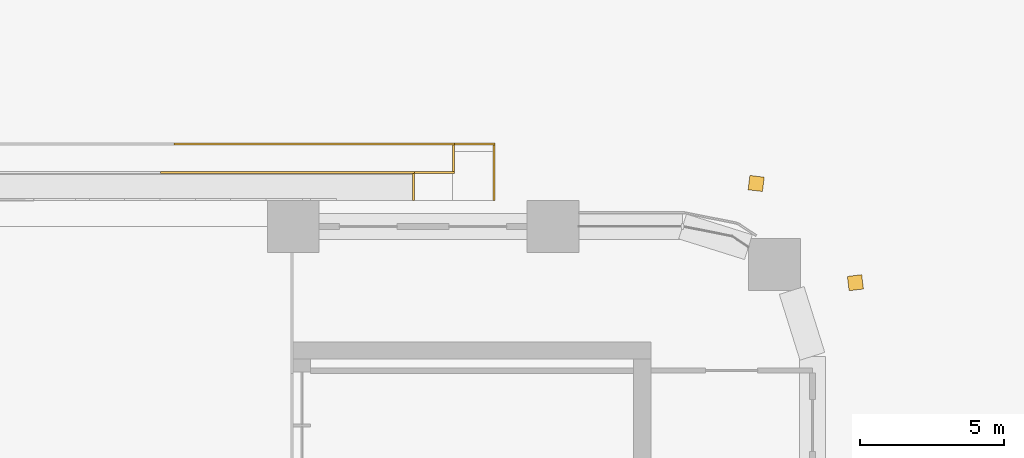
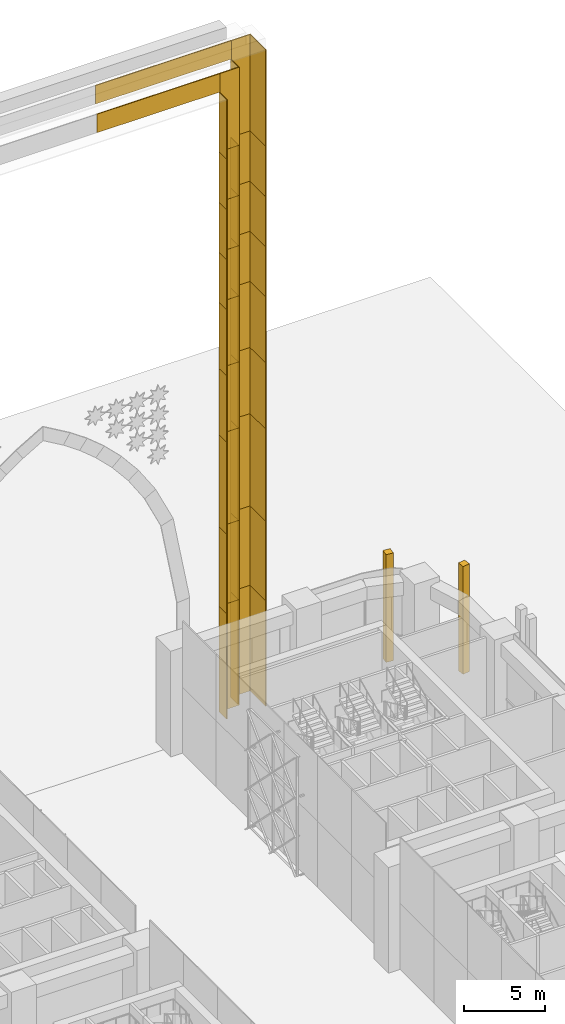
# One storey, part 63 of 64: 49 coverings.
"""IFC4 building model written with IfcOpenShell, lengths in metres."""

from ifc_helpers import new_model, si_unit, direction, frame, origin, origin_2d, place, context, subcontext, project, spatial, rectangle, extrude, material, layer, layer_set, type_object, element, save


model = new_model("IFC4")

# Units and contexts
model_context = context("Model", 3, precision=1e-05, world=origin(), true_north=direction((0.0, 1.0)))
body_context = subcontext(model_context, "Body", "Model", "MODEL_VIEW")
ifc_project = project(units=[si_unit("LENGTHUNIT", "METRE"), si_unit("AREAUNIT", "SQUARE_METRE"), si_unit("VOLUMEUNIT", "CUBIC_METRE"), si_unit("PLANEANGLEUNIT", "RADIAN"), si_unit("MASSUNIT", "GRAM", prefix="KILO")], contexts=[model_context])

# Site, building, storey
site_placement = place(None, origin())
site = spatial("IfcSite", under=ifc_project, at=site_placement, CompositionType="ELEMENT")
building_placement = place(site_placement, origin())
building = spatial("IfcBuilding", under=site, at=building_placement, Name="Tessera Arch", CompositionType="ELEMENT")
storey_placement = place(building_placement, origin())
storey = spatial("IfcBuildingStorey", under=building, at=storey_placement, Name="L00", CompositionType="ELEMENT", Elevation=0.0)

# Coverings
ifc_material_1 = material(Name="Aluminium cladding pale metal anodised", Category="aluminium")
ifc_layer_1 = layer(ifc_material_1, 0.070068359375)
ifc_layer_set_1 = layer_set([ifc_layer_1], Name="Arch jamb panel")
covering_type_1 = type_object("IfcCoveringType", Name="Arch jamb panel", PredefinedType="CLADDING", material=ifc_layer_set_1)
covering_1_placement = place(storey_placement, frame((42.300048828125, 56.864990234375, 0.0), z_axis=(0.0, 0.0, 1.0), x_axis=(1.0, 0.0, 0.0)))
element("IfcCovering", 1, at=covering_1_placement, inside=storey, type_object=covering_type_1, Name="Gate frame panel N10", PredefinedType="CLADDING", context=body_context, shape_type="SweptSolid", body=[
    extrude(rectangle(XDim=1.39990234375, YDim=0.070068359375, at=origin_2d()), origin(), (0.0, 0.0, 1.0), 8.0),
])
covering_2_placement = place(storey_placement, frame((42.300048828125, 56.864990234375, 8.0), z_axis=(0.0, 0.0, 1.0), x_axis=(1.0, 0.0, 0.0)))
element("IfcCovering", 2, at=covering_2_placement, inside=storey, type_object=covering_type_1, Name="Gate frame panel N11", PredefinedType="CLADDING", context=body_context, shape_type="SweptSolid", body=[
    extrude(rectangle(XDim=1.39990234375, YDim=0.070068359375, at=origin_2d()), origin(), (0.0, 0.0, 1.0), 6.0),
])
covering_3_placement = place(storey_placement, frame((42.300048828125, 56.864990234375, 14.0), z_axis=(0.0, 0.0, 1.0), x_axis=(1.0, 0.0, 0.0)))
element("IfcCovering", 3, at=covering_3_placement, inside=storey, type_object=covering_type_1, Name="Gate frame panel N12", PredefinedType="CLADDING", context=body_context, shape_type="SweptSolid", body=[
    extrude(rectangle(XDim=1.39990234375, YDim=0.070068359375, at=origin_2d()), origin(), (0.0, 0.0, 1.0), 7.0),
])
for number, where, z_axis, x_axis, name in (
    (4, (42.300048828125, 56.864990234375, 21.0), (0.0, 0.0, 1.0), (1.0, 0.0, 0.0), "Gate frame panel N13"),
    (5, (42.300048828125, 56.864990234375, 26.0), (0.0, 0.0, 1.0), (1.0, 0.0, 0.0), "Gate frame panel N14"),
):
    element("IfcCovering", number, at=place(storey_placement, frame(where, z_axis=z_axis, x_axis=x_axis)), inside=storey, type_object=covering_type_1, Name=name, PredefinedType="CLADDING", context=body_context, shape_type="SweptSolid", body=[
        extrude(rectangle(XDim=1.39990234375, YDim=0.070068359375, at=origin_2d()), origin(), (0.0, 0.0, 1.0), 5.0),
    ])
for number, where, z_axis, x_axis, name in (
    (6, (42.300048828125, 56.864990234375, 31.0), (0.0, 0.0, 1.0), (1.0, 0.0, 0.0), "Gate frame panel N15"),
    (7, (42.300048828125, 56.864990234375, 34.7998046875), (0.0, 0.0, 1.0), (1.0, 0.0, 0.0), "Gate frame panel N16"),
    (8, (42.300048828125, 56.864990234375, 38.60009765625), (0.0, 0.0, 1.0), (1.0, 0.0, 0.0), "Gate frame panel N17"),
):
    element("IfcCovering", number, at=place(storey_placement, frame(where, z_axis=z_axis, x_axis=x_axis)), inside=storey, type_object=covering_type_1, Name=name, PredefinedType="CLADDING", context=body_context, shape_type="SweptSolid", body=[
        extrude(rectangle(XDim=1.39990234375, YDim=0.070068359375, at=origin_2d()), origin(), (0.0, 0.0, 1.0), 3.800048828125),
    ])
covering_4_placement = place(storey_placement, frame((42.300048828125, 56.864990234375, 42.39990234375), z_axis=(0.0, 0.0, 1.0), x_axis=(1.0, 0.0, 0.0)))
element("IfcCovering", 9, at=covering_4_placement, inside=storey, type_object=covering_type_1, Name="Gate frame panel N18", PredefinedType="CLADDING", context=body_context, shape_type="SweptSolid", body=[
    extrude(rectangle(XDim=1.39990234375, YDim=0.070068359375, at=origin_2d()), origin(), (0.0, 0.0, 1.0), 7.300048828125),
])
covering_5_placement = place(storey_placement, frame((36.7333984375, 56.864990234375, 48.300048828125), z_axis=(0.0, 0.0, 1.0), x_axis=(1.0, 0.0, 0.0)))
element("IfcCovering", 10, at=covering_5_placement, inside=storey, type_object=covering_type_1, Name="Gate frame panel N21", PredefinedType="CLADDING", context=body_context, shape_type="SweptSolid", body=[
    extrude(rectangle(XDim=9.7333984375, YDim=0.070068359375, at=origin_2d()), origin(), (0.0, 0.0, 1.0), 1.39990234375),
])
covering_6_placement = place(storey_placement, frame((42.965087890625, 55.864990234375, 0.0), z_axis=(0.0, 0.0, 1.0), x_axis=(1.0, 0.0, 0.0)))
element("IfcCovering", 11, at=covering_6_placement, inside=storey, type_object=covering_type_1, Name="Gate frame reveal N31", PredefinedType="CLADDING", context=body_context, shape_type="SweptSolid", body=[
    extrude(rectangle(XDim=0.070068359375, YDim=1.929931640625, at=origin_2d()), origin(), (0.0, 0.0, 1.0), 8.0),
])
covering_7_placement = place(storey_placement, frame((42.965087890625, 55.864990234375, 8.0), z_axis=(0.0, 0.0, 1.0), x_axis=(1.0, 0.0, 0.0)))
element("IfcCovering", 12, at=covering_7_placement, inside=storey, type_object=covering_type_1, Name="Gate frame reveal N32", PredefinedType="CLADDING", context=body_context, shape_type="SweptSolid", body=[
    extrude(rectangle(XDim=0.070068359375, YDim=1.929931640625, at=origin_2d()), origin(), (0.0, 0.0, 1.0), 6.0),
])
covering_8_placement = place(storey_placement, frame((42.965087890625, 55.864990234375, 14.0), z_axis=(0.0, 0.0, 1.0), x_axis=(1.0, 0.0, 0.0)))
element("IfcCovering", 13, at=covering_8_placement, inside=storey, type_object=covering_type_1, Name="Gate frame reveal N33", PredefinedType="CLADDING", context=body_context, shape_type="SweptSolid", body=[
    extrude(rectangle(XDim=0.070068359375, YDim=1.929931640625, at=origin_2d()), origin(), (0.0, 0.0, 1.0), 7.0),
])
for number, where, z_axis, x_axis, name in (
    (14, (42.965087890625, 55.864990234375, 21.0), (0.0, 0.0, 1.0), (1.0, 0.0, 0.0), "Gate frame reveal N34"),
    (15, (42.965087890625, 55.864990234375, 26.0), (0.0, 0.0, 1.0), (1.0, 0.0, 0.0), "Gate frame reveal N35"),
):
    element("IfcCovering", number, at=place(storey_placement, frame(where, z_axis=z_axis, x_axis=x_axis)), inside=storey, type_object=covering_type_1, Name=name, PredefinedType="CLADDING", context=body_context, shape_type="SweptSolid", body=[
        extrude(rectangle(XDim=0.070068359375, YDim=1.929931640625, at=origin_2d()), origin(), (0.0, 0.0, 1.0), 5.0),
    ])
for number, where, z_axis, x_axis, name in (
    (16, (42.965087890625, 55.864990234375, 31.0), (0.0, 0.0, 1.0), (1.0, 0.0, 0.0), "Gate frame reveal N36"),
    (17, (42.965087890625, 55.864990234375, 34.7998046875), (0.0, 0.0, 1.0), (1.0, 0.0, 0.0), "Gate frame reveal N37"),
    (18, (42.965087890625, 55.864990234375, 38.60009765625), (0.0, 0.0, 1.0), (1.0, 0.0, 0.0), "Gate frame reveal N38"),
):
    element("IfcCovering", number, at=place(storey_placement, frame(where, z_axis=z_axis, x_axis=x_axis)), inside=storey, type_object=covering_type_1, Name=name, PredefinedType="CLADDING", context=body_context, shape_type="SweptSolid", body=[
        extrude(rectangle(XDim=0.070068359375, YDim=1.929931640625, at=origin_2d()), origin(), (0.0, 0.0, 1.0), 3.800048828125),
    ])
covering_9_placement = place(storey_placement, frame((42.965087890625, 55.864990234375, 42.39990234375), z_axis=(0.0, 0.0, 1.0), x_axis=(1.0, 0.0, 0.0)))
element("IfcCovering", 19, at=covering_9_placement, inside=storey, type_object=covering_type_1, Name="Gate frame reveal N39", PredefinedType="CLADDING", context=body_context, shape_type="SweptSolid", body=[
    extrude(rectangle(XDim=0.070068359375, YDim=1.929931640625, at=origin_2d()), origin(), (0.0, 0.0, 1.0), 7.300048828125),
])
covering_10_placement = place(storey_placement, frame((41.56494140625, 56.364990234375, 0.0), z_axis=(0.0, 0.0, 1.0), x_axis=(1.0, 0.0, 0.0)))
element("IfcCovering", 20, at=covering_10_placement, inside=storey, type_object=covering_type_1, Name="Gate frame reveal N50", PredefinedType="CLADDING", context=body_context, shape_type="SweptSolid", body=[
    extrude(rectangle(XDim=0.070068359375, YDim=0.929931640625, at=origin_2d()), origin(), (0.0, 0.0, 1.0), 8.0),
])
covering_11_placement = place(storey_placement, frame((41.56494140625, 56.364990234375, 8.0), z_axis=(0.0, 0.0, 1.0), x_axis=(1.0, 0.0, 0.0)))
element("IfcCovering", 21, at=covering_11_placement, inside=storey, type_object=covering_type_1, Name="Gate frame reveal N51", PredefinedType="CLADDING", context=body_context, shape_type="SweptSolid", body=[
    extrude(rectangle(XDim=0.070068359375, YDim=0.929931640625, at=origin_2d()), origin(), (0.0, 0.0, 1.0), 6.0),
])
covering_12_placement = place(storey_placement, frame((41.56494140625, 56.364990234375, 14.0), z_axis=(0.0, 0.0, 1.0), x_axis=(1.0, 0.0, 0.0)))
element("IfcCovering", 22, at=covering_12_placement, inside=storey, type_object=covering_type_1, Name="Gate frame reveal N52", PredefinedType="CLADDING", context=body_context, shape_type="SweptSolid", body=[
    extrude(rectangle(XDim=0.070068359375, YDim=0.929931640625, at=origin_2d()), origin(), (0.0, 0.0, 1.0), 7.0),
])
for number, where, z_axis, x_axis, name in (
    (23, (41.56494140625, 56.364990234375, 21.0), (0.0, 0.0, 1.0), (1.0, 0.0, 0.0), "Gate frame reveal N53"),
    (24, (41.56494140625, 56.364990234375, 26.0), (0.0, 0.0, 1.0), (1.0, 0.0, 0.0), "Gate frame reveal N54"),
):
    element("IfcCovering", number, at=place(storey_placement, frame(where, z_axis=z_axis, x_axis=x_axis)), inside=storey, type_object=covering_type_1, Name=name, PredefinedType="CLADDING", context=body_context, shape_type="SweptSolid", body=[
        extrude(rectangle(XDim=0.070068359375, YDim=0.929931640625, at=origin_2d()), origin(), (0.0, 0.0, 1.0), 5.0),
    ])
for number, where, z_axis, x_axis, name in (
    (25, (41.56494140625, 56.364990234375, 31.0), (0.0, 0.0, 1.0), (1.0, 0.0, 0.0), "Gate frame reveal N55"),
    (26, (41.56494140625, 56.364990234375, 34.7998046875), (0.0, 0.0, 1.0), (1.0, 0.0, 0.0), "Gate frame reveal N56"),
    (27, (41.56494140625, 56.364990234375, 38.60009765625), (0.0, 0.0, 1.0), (1.0, 0.0, 0.0), "Gate frame reveal N57"),
):
    element("IfcCovering", number, at=place(storey_placement, frame(where, z_axis=z_axis, x_axis=x_axis)), inside=storey, type_object=covering_type_1, Name=name, PredefinedType="CLADDING", context=body_context, shape_type="SweptSolid", body=[
        extrude(rectangle(XDim=0.070068359375, YDim=0.929931640625, at=origin_2d()), origin(), (0.0, 0.0, 1.0), 3.800048828125),
    ])
covering_13_placement = place(storey_placement, frame((41.56494140625, 56.364990234375, 42.400146484375), z_axis=(0.0, 0.0, 1.0), x_axis=(1.0, 0.0, 0.0)))
element("IfcCovering", 28, at=covering_13_placement, inside=storey, type_object=covering_type_1, Name="Gate frame reveal N58", PredefinedType="CLADDING", context=body_context, shape_type="SweptSolid", body=[
    extrude(rectangle(XDim=0.070068359375, YDim=0.929931640625, at=origin_2d()), origin(), (0.0, 0.0, 1.0), 5.89990234375),
])
covering_14_placement = place(storey_placement, frame((40.89990234375, 55.864990234375, 0.0), z_axis=(0.0, 0.0, 1.0), x_axis=(1.0, 0.0, 0.0)))
element("IfcCovering", 29, at=covering_14_placement, inside=storey, type_object=covering_type_1, Name="Gate frame panel N69", PredefinedType="CLADDING", context=body_context, shape_type="SweptSolid", body=[
    extrude(rectangle(XDim=1.39990234375, YDim=0.070068359375, at=origin_2d()), origin(), (0.0, 0.0, 1.0), 8.0),
])
covering_15_placement = place(storey_placement, frame((40.89990234375, 55.864990234375, 8.0), z_axis=(0.0, 0.0, 1.0), x_axis=(1.0, 0.0, 0.0)))
element("IfcCovering", 30, at=covering_15_placement, inside=storey, type_object=covering_type_1, Name="Gate frame panel N70", PredefinedType="CLADDING", context=body_context, shape_type="SweptSolid", body=[
    extrude(rectangle(XDim=1.39990234375, YDim=0.070068359375, at=origin_2d()), origin(), (0.0, 0.0, 1.0), 6.0),
])
covering_16_placement = place(storey_placement, frame((40.89990234375, 55.864990234375, 14.0), z_axis=(0.0, 0.0, 1.0), x_axis=(1.0, 0.0, 0.0)))
element("IfcCovering", 31, at=covering_16_placement, inside=storey, type_object=covering_type_1, Name="Gate frame panel N71", PredefinedType="CLADDING", context=body_context, shape_type="SweptSolid", body=[
    extrude(rectangle(XDim=1.39990234375, YDim=0.070068359375, at=origin_2d()), origin(), (0.0, 0.0, 1.0), 7.0),
])
for number, where, z_axis, x_axis, name in (
    (32, (40.89990234375, 55.864990234375, 21.0), (0.0, 0.0, 1.0), (1.0, 0.0, 0.0), "Gate frame panel N72"),
    (33, (40.89990234375, 55.864990234375, 26.0), (0.0, 0.0, 1.0), (1.0, 0.0, 0.0), "Gate frame panel N73"),
):
    element("IfcCovering", number, at=place(storey_placement, frame(where, z_axis=z_axis, x_axis=x_axis)), inside=storey, type_object=covering_type_1, Name=name, PredefinedType="CLADDING", context=body_context, shape_type="SweptSolid", body=[
        extrude(rectangle(XDim=1.39990234375, YDim=0.070068359375, at=origin_2d()), origin(), (0.0, 0.0, 1.0), 5.0),
    ])
for number, where, z_axis, x_axis, name in (
    (34, (40.89990234375, 55.864990234375, 31.0), (0.0, 0.0, 1.0), (1.0, 0.0, 0.0), "Gate frame panel N74"),
    (35, (40.89990234375, 55.864990234375, 34.7998046875), (0.0, 0.0, 1.0), (1.0, 0.0, 0.0), "Gate frame panel N75"),
    (36, (40.89990234375, 55.864990234375, 38.60009765625), (0.0, 0.0, 1.0), (1.0, 0.0, 0.0), "Gate frame panel N76"),
):
    element("IfcCovering", number, at=place(storey_placement, frame(where, z_axis=z_axis, x_axis=x_axis)), inside=storey, type_object=covering_type_1, Name=name, PredefinedType="CLADDING", context=body_context, shape_type="SweptSolid", body=[
        extrude(rectangle(XDim=1.39990234375, YDim=0.070068359375, at=origin_2d()), origin(), (0.0, 0.0, 1.0), 3.800048828125),
    ])
covering_17_placement = place(storey_placement, frame((40.89990234375, 55.864990234375, 42.400146484375), z_axis=(0.0, 0.0, 1.0), x_axis=(1.0, 0.0, 0.0)))
element("IfcCovering", 37, at=covering_17_placement, inside=storey, type_object=covering_type_1, Name="Gate frame panel N77", PredefinedType="CLADDING", context=body_context, shape_type="SweptSolid", body=[
    extrude(rectangle(XDim=1.39990234375, YDim=0.070068359375, at=origin_2d()), origin(), (0.0, 0.0, 1.0), 5.89990234375),
])
covering_18_placement = place(storey_placement, frame((35.800048828125, 55.864990234375, 46.900146484375), z_axis=(0.0, 0.0, 1.0), x_axis=(1.0, 0.0, 0.0)))
element("IfcCovering", 38, at=covering_18_placement, inside=storey, type_object=covering_type_1, Name="Gate frame panel N80", PredefinedType="CLADDING", context=body_context, shape_type="SweptSolid", body=[
    extrude(rectangle(XDim=8.800048828125, YDim=0.070068359375, at=origin_2d()), origin(), (0.0, 0.0, 1.0), 1.39990234375),
])
covering_19_placement = place(storey_placement, frame((40.1650390625, 55.364990234375, 0.0), z_axis=(0.0, 0.0, 1.0), x_axis=(1.0, 0.0, 0.0)))
element("IfcCovering", 39, at=covering_19_placement, inside=storey, type_object=covering_type_1, Name="Gate frame reveal N90", PredefinedType="CLADDING", context=body_context, shape_type="SweptSolid", body=[
    extrude(rectangle(XDim=0.070068359375, YDim=0.929931640625, at=origin_2d()), origin(), (0.0, 0.0, 1.0), 8.0),
])
covering_20_placement = place(storey_placement, frame((40.1650390625, 55.364990234375, 8.0), z_axis=(0.0, 0.0, 1.0), x_axis=(1.0, 0.0, 0.0)))
element("IfcCovering", 40, at=covering_20_placement, inside=storey, type_object=covering_type_1, Name="Gate frame reveal N91", PredefinedType="CLADDING", context=body_context, shape_type="SweptSolid", body=[
    extrude(rectangle(XDim=0.070068359375, YDim=0.929931640625, at=origin_2d()), origin(), (0.0, 0.0, 1.0), 6.0),
])
covering_21_placement = place(storey_placement, frame((40.1650390625, 55.364990234375, 14.0), z_axis=(0.0, 0.0, 1.0), x_axis=(1.0, 0.0, 0.0)))
element("IfcCovering", 41, at=covering_21_placement, inside=storey, type_object=covering_type_1, Name="Gate frame reveal N92", PredefinedType="CLADDING", context=body_context, shape_type="SweptSolid", body=[
    extrude(rectangle(XDim=0.070068359375, YDim=0.929931640625, at=origin_2d()), origin(), (0.0, 0.0, 1.0), 7.0),
])
for number, where, z_axis, x_axis, name in (
    (42, (40.1650390625, 55.364990234375, 21.0), (0.0, 0.0, 1.0), (1.0, 0.0, 0.0), "Gate frame reveal N93"),
    (43, (40.1650390625, 55.364990234375, 26.0), (0.0, 0.0, 1.0), (1.0, 0.0, 0.0), "Gate frame reveal N94"),
):
    element("IfcCovering", number, at=place(storey_placement, frame(where, z_axis=z_axis, x_axis=x_axis)), inside=storey, type_object=covering_type_1, Name=name, PredefinedType="CLADDING", context=body_context, shape_type="SweptSolid", body=[
        extrude(rectangle(XDim=0.070068359375, YDim=0.929931640625, at=origin_2d()), origin(), (0.0, 0.0, 1.0), 5.0),
    ])
for number, where, z_axis, x_axis, name in (
    (44, (40.1650390625, 55.364990234375, 31.0), (0.0, 0.0, 1.0), (1.0, 0.0, 0.0), "Gate frame reveal N95"),
    (45, (40.1650390625, 55.364990234375, 34.7998046875), (0.0, 0.0, 1.0), (1.0, 0.0, 0.0), "Gate frame reveal N96"),
    (46, (40.1650390625, 55.364990234375, 38.60009765625), (0.0, 0.0, 1.0), (1.0, 0.0, 0.0), "Gate frame reveal N97"),
):
    element("IfcCovering", number, at=place(storey_placement, frame(where, z_axis=z_axis, x_axis=x_axis)), inside=storey, type_object=covering_type_1, Name=name, PredefinedType="CLADDING", context=body_context, shape_type="SweptSolid", body=[
        extrude(rectangle(XDim=0.070068359375, YDim=0.929931640625, at=origin_2d()), origin(), (0.0, 0.0, 1.0), 3.800048828125),
    ])
covering_22_placement = place(storey_placement, frame((40.1650390625, 55.364990234375, 42.39990234375), z_axis=(0.0, 0.0, 1.0), x_axis=(1.0, 0.0, 0.0)))
element("IfcCovering", 47, at=covering_22_placement, inside=storey, type_object=covering_type_1, Name="Gate frame reveal N98", PredefinedType="CLADDING", context=body_context, shape_type="SweptSolid", body=[
    extrude(rectangle(XDim=0.070068359375, YDim=0.929931640625, at=origin_2d()), origin(), (0.0, 0.0, 1.0), 4.5),
])
ifc_material_2 = material(Name="Anodised aluminium pale metal", Category="aluminium")
ifc_layer_2 = layer(ifc_material_2, 0.5)
ifc_layer_set_2 = layer_set([ifc_layer_2], Name="Base plinth pier pale metal")
covering_type_2 = type_object("IfcCoveringType", Name="Base plinth pier pale metal", PredefinedType="CLADDING", material=ifc_layer_set_2)
for number, where, z_axis, x_axis, name in (
    (48, (55.491943359375, 52.051025390625, 0.0), (0.0, 0.0, 1.0), (-0.120951161885, 0.992658459108, 0.0), "Base plinth pier 8"),
    (49, (52.051025390625, 55.491943359375, 0.0), (0.0, 0.0, 1.0), (-0.992658459108, 0.120951161885, 0.0), "Base plinth pier 9"),
):
    element("IfcCovering", number, at=place(storey_placement, frame(where, z_axis=z_axis, x_axis=x_axis)), inside=storey, type_object=covering_type_2, Name=name, PredefinedType="CLADDING", context=body_context, shape_type="SweptSolid", body=[
        extrude(rectangle(XDim=0.5, YDim=0.5, at=origin_2d()), origin(), (0.0, 0.0, 1.0), 8.159912109375),
    ])

save(model, "model.ifc")
